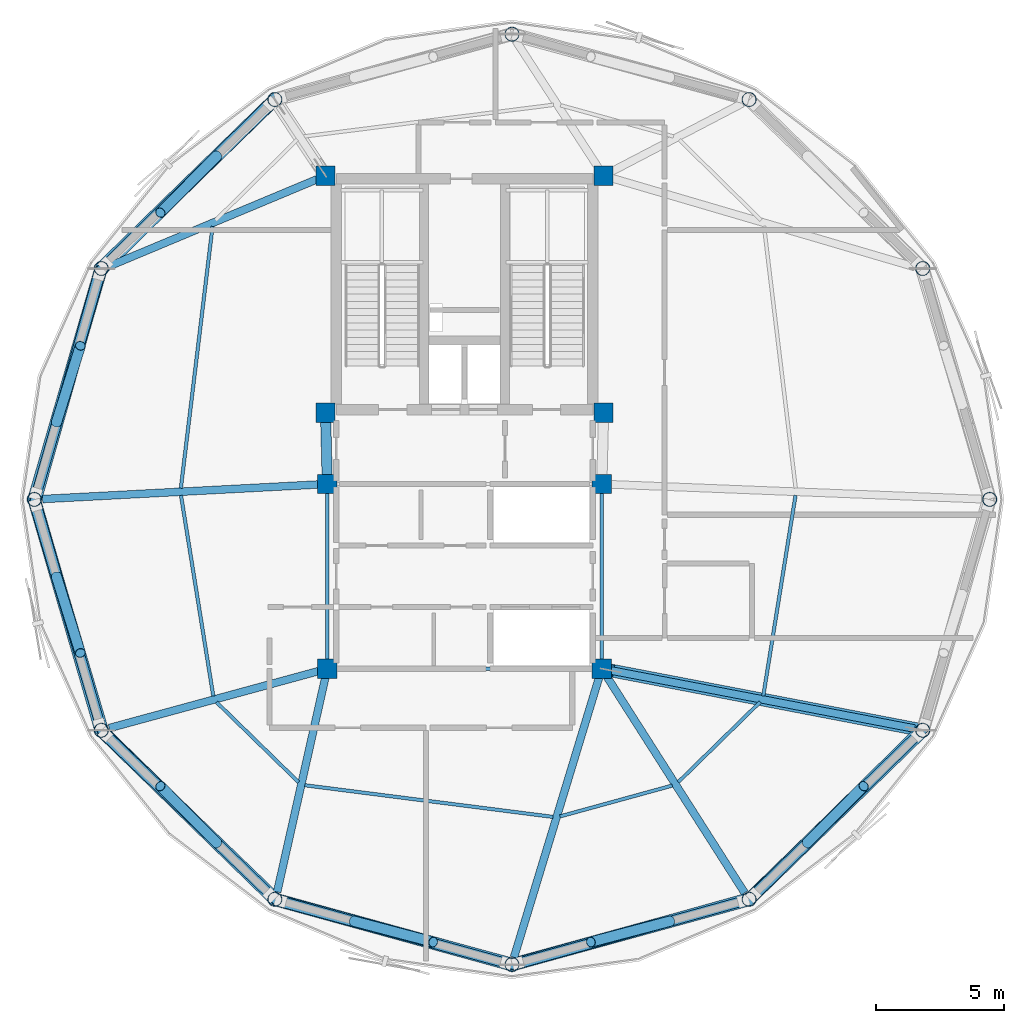
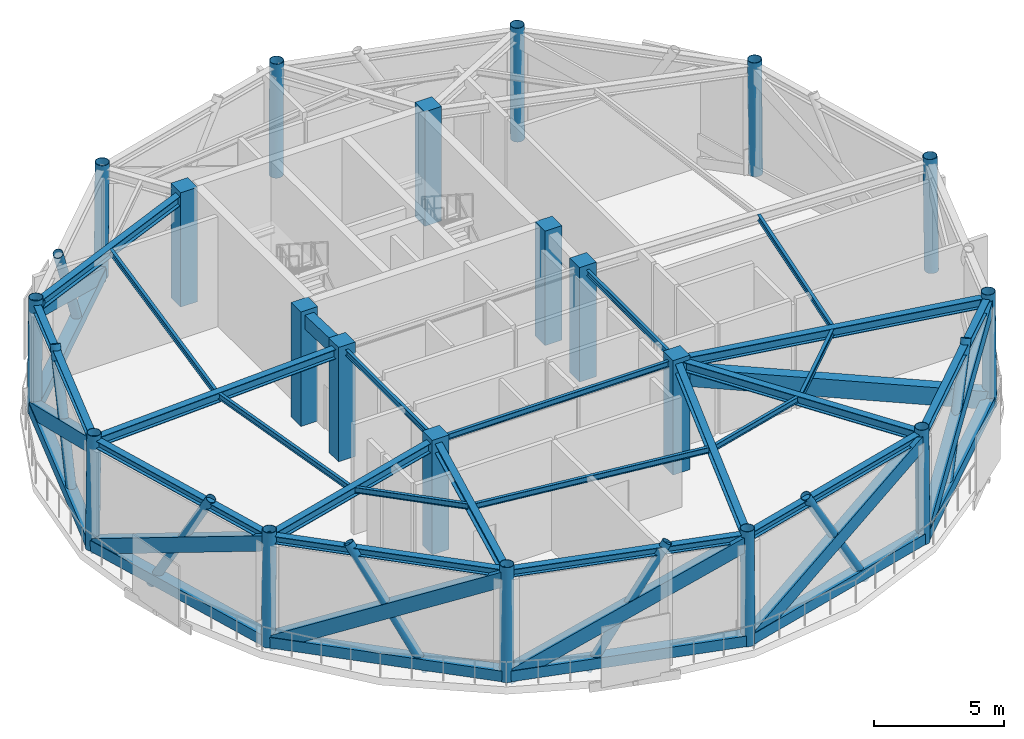
# One storey, part 1 of 10: 24 beams, 22 members, 20 columns.
"""IFC4 building model written with IfcOpenShell, lengths in metres."""

from ifc_helpers import new_model, si_unit, direction, frame, origin, origin_2d, place, context, subcontext, project, spatial, rectangle, hollow_rectangle, hollow_circle, i_section, extrude, material, material_profile, profile_set, type_object, element, save


model = new_model("IFC4")

# Units and contexts
model_context = context("Model", 3, precision=1e-05, world=origin(), true_north=direction((0.0, 1.0)))
body_context = subcontext(model_context, "Body", "Model", "MODEL_VIEW")
ifc_project = project(units=[si_unit("LENGTHUNIT", "METRE"), si_unit("AREAUNIT", "SQUARE_METRE"), si_unit("VOLUMEUNIT", "CUBIC_METRE"), si_unit("PLANEANGLEUNIT", "RADIAN"), si_unit("MASSUNIT", "GRAM", prefix="KILO")], contexts=[model_context])

# Site, building, storey
site_placement = place(None, origin())
site = spatial("IfcSite", under=ifc_project, at=site_placement, CompositionType="ELEMENT")
building_placement = place(site_placement, origin())
building = spatial("IfcBuilding", under=site, at=building_placement, Name="Varnakorn Sky Granary", CompositionType="ELEMENT")
storey_placement = place(building_placement, frame((0.0, 0.0, 240.0)))
storey = spatial("IfcBuildingStorey", under=building, at=storey_placement, Name="L61", CompositionType="ELEMENT", Elevation=240.0)

# Columns
ifc_material_1 = material(Name="Steel S460M", Category="steel")
ifc_material_profile_1 = material_profile(ifc_material_1, hollow_circle(Radius=0.279541015625, WallThickness=0.02001953125, at=origin_2d()), Name="CHS 559x20")
ifc_profile_set_1 = profile_set([ifc_material_profile_1], Name="Steel S460M")
column_type_1 = type_object("IfcColumnType", Name="COL-DC-Z5", PredefinedType="COLUMN", material=ifc_profile_set_1)
column_1_placement = place(storey_placement, frame((23.48095703125, 0.0, 0.0), z_axis=(-0.012626173678, 0.0, 0.999920286692), x_axis=(0.0, -1.0, 0.0)))
element("IfcColumn", 1, at=column_1_placement, inside=storey, type_object=column_type_1, Name="Drum Perimeter Column DC01 L61", PredefinedType="COLUMN", context=body_context, shape_type="SweptSolid", body=[
    extrude(hollow_circle(Radius=0.279541015625, WallThickness=0.02001953125, at=origin_2d()), origin(), (0.0, 0.0, 1.0), 5.37548828125),
])
for number, where, z_axis, x_axis, name in (
    (2, (20.867919921875, 9.00244140625, 0.0), (-0.010945874758, -0.003133881155, 0.999935181207), (0.275247949014, -0.961373271193, 0.0), "Drum Perimeter Column DC02 L61"),
    (3, (14.097900390625, 15.5927734375, 0.0), (-0.006313368939, -0.005495810372, 0.999964968107), (0.656581650754, -0.754254954172, 0.0), "Drum Perimeter Column DC03 L61"),
):
    element("IfcColumn", number, at=place(storey_placement, frame(where, z_axis=z_axis, x_axis=x_axis)), inside=storey, type_object=column_type_1, Name=name, PredefinedType="COLUMN", context=body_context, shape_type="SweptSolid", body=[
        extrude(hollow_circle(Radius=0.279541015625, WallThickness=0.02001953125, at=origin_2d()), origin(), (0.0, 0.0, 1.0), 5.375244140625),
    ])
column_2_placement = place(storey_placement, frame((4.85009765625, 18.139892578125, 0.0), z_axis=(0.0, -0.006313464286, 0.999980069886), x_axis=(1.0, 0.0, 0.0)))
element("IfcColumn", 4, at=column_2_placement, inside=storey, type_object=column_type_1, Name="Drum Perimeter Column DC04 L61", PredefinedType="COLUMN", context=body_context, shape_type="SweptSolid", body=[
    extrude(hollow_circle(Radius=0.279541015625, WallThickness=0.02001953125, at=origin_2d()), origin(), (0.0, 0.0, 1.0), 5.375),
])
for number, where, z_axis, x_axis, name in (
    (5, (-4.39794921875, 15.5927734375, 0.0), (0.006313368939, -0.005495810372, 0.999964968107), (0.656581650754, 0.754254954172, 0.0), "Drum Perimeter Column DC05 L61"),
    (6, (-11.16796875, 9.00244140625, 0.0), (0.010945874758, -0.003133881155, 0.999935181207), (0.275247949014, 0.961373271193, 0.0), "Drum Perimeter Column DC06 L61"),
):
    element("IfcColumn", number, at=place(storey_placement, frame(where, z_axis=z_axis, x_axis=x_axis)), inside=storey, type_object=column_type_1, Name=name, PredefinedType="COLUMN", context=body_context, shape_type="SweptSolid", body=[
        extrude(hollow_circle(Radius=0.279541015625, WallThickness=0.02001953125, at=origin_2d()), origin(), (0.0, 0.0, 1.0), 5.375244140625),
    ])
column_3_placement = place(storey_placement, frame((-13.781005859375, 0.0, 0.0), z_axis=(0.01267158429, 0.0, 0.999919712253), x_axis=(0.0, 1.0, 0.0)))
element("IfcColumn", 7, at=column_3_placement, inside=storey, type_object=column_type_1, Name="Drum Perimeter Column DC07 L61", PredefinedType="COLUMN", context=body_context, shape_type="SweptSolid", body=[
    extrude(hollow_circle(Radius=0.279541015625, WallThickness=0.02001953125, at=origin_2d()), origin(), (0.0, 0.0, 1.0), 5.37548828125),
])
for number, where, z_axis, x_axis, name in (
    (8, (-11.16796875, -9.00244140625, 0.0), (0.010945874758, 0.003133881155, 0.999935181207), (-0.275247949014, 0.961373271193, 0.0), "Drum Perimeter Column DC08 L61"),
    (9, (-4.39794921875, -15.5927734375, 0.0), (0.006313368939, 0.005495810372, 0.999964968107), (-0.656581650754, 0.754254954172, 0.0), "Drum Perimeter Column DC09 L61"),
):
    element("IfcColumn", number, at=place(storey_placement, frame(where, z_axis=z_axis, x_axis=x_axis)), inside=storey, type_object=column_type_1, Name=name, PredefinedType="COLUMN", context=body_context, shape_type="SweptSolid", body=[
        extrude(hollow_circle(Radius=0.279541015625, WallThickness=0.02001953125, at=origin_2d()), origin(), (0.0, 0.0, 1.0), 5.375244140625),
    ])
column_4_placement = place(storey_placement, frame((4.85009765625, -18.139892578125, 0.0), z_axis=(0.0, 0.006313464286, 0.999980069886), x_axis=(-1.0, 0.0, 0.0)))
element("IfcColumn", 10, at=column_4_placement, inside=storey, type_object=column_type_1, Name="Drum Perimeter Column DC10 L61", PredefinedType="COLUMN", context=body_context, shape_type="SweptSolid", body=[
    extrude(hollow_circle(Radius=0.279541015625, WallThickness=0.02001953125, at=origin_2d()), origin(), (0.0, 0.0, 1.0), 5.375),
])
for number, where, z_axis, x_axis, name in (
    (11, (14.097900390625, -15.5927734375, 0.0), (-0.006313368939, 0.005495810372, 0.999964968107), (-0.656581650754, -0.754254954172, 0.0), "Drum Perimeter Column DC11 L61"),
    (12, (20.867919921875, -9.00244140625, 0.0), (-0.010945874758, 0.003133881155, 0.999935181207), (-0.275247949014, -0.961373271193, 0.0), "Drum Perimeter Column DC12 L61"),
):
    element("IfcColumn", number, at=place(storey_placement, frame(where, z_axis=z_axis, x_axis=x_axis)), inside=storey, type_object=column_type_1, Name=name, PredefinedType="COLUMN", context=body_context, shape_type="SweptSolid", body=[
        extrude(hollow_circle(Radius=0.279541015625, WallThickness=0.02001953125, at=origin_2d()), origin(), (0.0, 0.0, 1.0), 5.375244140625),
    ])
ifc_material_2 = material(Name="Concrete C50/60", Category="concrete")
ifc_material_profile_2 = material_profile(ifc_material_2, rectangle(XDim=0.75, YDim=0.75, at=origin_2d()), Name="RC 750x750")
ifc_profile_set_2 = profile_set([ifc_material_profile_2], Name="Concrete C50/60")
column_type_2 = type_object("IfcColumnType", Name="COL-MC-Z5", PredefinedType="COLUMN", material=ifc_profile_set_2)
for number, where, z_axis, x_axis, name in (
    (13, (-2.419921875, 12.6201171875, 0.0), (0.0, 0.0, 1.0), (1.0, 0.0, 0.0), "Backbone Mega-Column MC1 L61"),
    (14, (8.419921875, 12.6201171875, 0.0), (0.0, 0.0, 1.0), (1.0, 0.0, 0.0), "Backbone Mega-Column MC2 L61"),
    (15, (-2.419921875, 3.3798828125, 0.0), (0.0, 0.0, 1.0), (1.0, 0.0, 0.0), "Backbone Mega-Column MC3 L61"),
    (16, (8.419921875, 3.3798828125, 0.0), (0.0, 0.0, 1.0), (1.0, 0.0, 0.0), "Backbone Mega-Column MC4 L61"),
    (17, (-2.35009765625, 0.60009765625, 0.0), (0.0, 0.0, 1.0), (1.0, 0.0, 0.0), "Backbone Mega-Column MC5 L61"),
    (18, (8.35009765625, 0.60009765625, 0.0), (0.0, 0.0, 1.0), (1.0, 0.0, 0.0), "Backbone Mega-Column MC6 L61"),
    (19, (-2.35009765625, -6.60009765625, 0.0), (0.0, 0.0, 1.0), (1.0, 0.0, 0.0), "Backbone Mega-Column MC7 L61"),
    (20, (8.35009765625, -6.60009765625, 0.0), (0.0, 0.0, 1.0), (1.0, 0.0, 0.0), "Backbone Mega-Column MC8 L61"),
):
    element("IfcColumn", number, at=place(storey_placement, frame(where, z_axis=z_axis, x_axis=x_axis)), inside=storey, type_object=column_type_2, Name=name, PredefinedType="COLUMN", context=body_context, shape_type="SweptSolid", body=[
        extrude(rectangle(XDim=0.75, YDim=0.75, at=origin_2d()), origin(), (0.0, 0.0, 1.0), 5.375),
    ])

# Beams
ifc_material_profile_3 = material_profile(ifc_material_2, rectangle(XDim=0.39990234375, YDim=0.64990234375, at=origin_2d()), Name="RC 400x650")
ifc_profile_set_3 = profile_set([ifc_material_profile_3], Name="Concrete C50/60")
beam_type_1 = type_object("IfcBeamType", Name="BM-LIN-650", PredefinedType="LINTEL", material=ifc_profile_set_3)
beam_1_placement = place(storey_placement, frame((-2.4111328125, 3.025146484375, 4.8349609375), z_axis=(0.025227817192, -0.999681727971, 0.0), x_axis=(0.999681727971, 0.025227817192, 0.0)))
element("IfcBeam", 21, at=beam_1_placement, inside=storey, type_object=beam_type_1, Name="Core Spine Framing Beam 1 L61", PredefinedType="LINTEL", context=body_context, shape_type="SweptSolid", body=[
    extrude(rectangle(XDim=0.39990234375, YDim=0.64990234375, at=origin_2d()), origin(), (0.0, 0.0, 1.0), 2.071044921875),
])
ifc_material_3 = material(Name="Steel S355JR", Category="steel")
ifc_material_profile_4 = material_profile(ifc_material_3, i_section(OverallWidth=0.300048828125, OverallDepth=0.449951171875, WebThickness=0.013916015625, FlangeThickness=0.02587890625, at=origin_2d()), Name="HE 450 B")
ifc_profile_set_4 = profile_set([ifc_material_profile_4], Name="Steel S355JR")
beam_type_2 = type_object("IfcBeamType", Name="BM-RAD-Z5", PredefinedType="BEAM", material=ifc_profile_set_4)
beam_2_placement = place(storey_placement, frame((-2.74755859375, 12.48291015625, 4.93505859375), z_axis=(-0.922551503331, -0.385873973859, 0.0), x_axis=(0.385873973859, -0.922551503331, 0.0)))
element("IfcBeam", 22, at=beam_2_placement, inside=storey, type_object=beam_type_2, Name="Radial Floor Girder RG06 L61", PredefinedType="BEAM", context=body_context, shape_type="SweptSolid", body=[
    extrude(i_section(OverallWidth=0.300048828125, OverallDepth=0.449951171875, WebThickness=0.013916015625, FlangeThickness=0.02587890625, at=origin_2d()), origin(), (0.0, 0.0, 1.0), 8.798828125),
])
beam_3_placement = place(storey_placement, frame((-2.70458984375, 0.581298828125, 4.93505859375), z_axis=(-0.998608599682, -0.052733904103, 0.0), x_axis=(0.052733904103, -0.998608599682, 0.0)))
element("IfcBeam", 23, at=beam_3_placement, inside=storey, type_object=beam_type_2, Name="Radial Floor Girder RG07 L61", PredefinedType="BEAM", context=body_context, shape_type="SweptSolid", body=[
    extrude(i_section(OverallWidth=0.300048828125, OverallDepth=0.449951171875, WebThickness=0.013916015625, FlangeThickness=0.02587890625, at=origin_2d()), origin(), (0.0, 0.0, 1.0), 10.75927734375),
])
beam_4_placement = place(storey_placement, frame((-2.6923828125, -6.693359375, 4.93505859375), z_axis=(-0.964860998525, -0.262760829512, 0.0), x_axis=(0.262760829512, -0.964860998525, 0.0)))
element("IfcBeam", 24, at=beam_4_placement, inside=storey, type_object=beam_type_2, Name="Radial Floor Girder RG08 L61", PredefinedType="BEAM", context=body_context, shape_type="SweptSolid", body=[
    extrude(i_section(OverallWidth=0.300048828125, OverallDepth=0.449951171875, WebThickness=0.013916015625, FlangeThickness=0.02587890625, at=origin_2d()), origin(), (0.0, 0.0, 1.0), 8.458740234375),
])
beam_5_placement = place(storey_placement, frame((-2.427734375, -6.9462890625, 4.93505859375), z_axis=(-0.219226030826, -0.975674098974, 0.0), x_axis=(0.975674098974, -0.219226030826, 0.0)))
element("IfcBeam", 25, at=beam_5_placement, inside=storey, type_object=beam_type_2, Name="Radial Floor Girder RG09 L61", PredefinedType="BEAM", context=body_context, shape_type="SweptSolid", body=[
    extrude(i_section(OverallWidth=0.300048828125, OverallDepth=0.449951171875, WebThickness=0.013916015625, FlangeThickness=0.02587890625, at=origin_2d()), origin(), (0.0, 0.0, 1.0), 8.5673828125),
])
beam_6_placement = place(storey_placement, frame((8.24658203125, -6.939697265625, 4.93505859375), z_axis=(-0.291017678626, -0.956717675559, 0.0), x_axis=(0.956717675559, -0.291017678626, 0.0)))
element("IfcBeam", 26, at=beam_6_placement, inside=storey, type_object=beam_type_2, Name="Radial Floor Girder RG10 L61", PredefinedType="BEAM", context=body_context, shape_type="SweptSolid", body=[
    extrude(i_section(OverallWidth=0.300048828125, OverallDepth=0.449951171875, WebThickness=0.013916015625, FlangeThickness=0.02587890625, at=origin_2d()), origin(), (0.0, 0.0, 1.0), 11.40673828125),
])
beam_7_placement = place(storey_placement, frame((8.540771484375, -6.8994140625, 4.93505859375), z_axis=(0.537558639365, -0.843226368921, 0.0), x_axis=(0.843226368921, 0.537558639365, 0.0)))
element("IfcBeam", 27, at=beam_7_placement, inside=storey, type_object=beam_type_2, Name="Radial Floor Girder RG11 L61", PredefinedType="BEAM", context=body_context, shape_type="SweptSolid", body=[
    extrude(i_section(OverallWidth=0.300048828125, OverallDepth=0.449951171875, WebThickness=0.013916015625, FlangeThickness=0.02587890625, at=origin_2d()), origin(), (0.0, 0.0, 1.0), 10.01025390625),
])
beam_8_placement = place(storey_placement, frame((8.69873046875, -6.666748046875, 4.93505859375), z_axis=(0.982158531673, -0.18805482887, 0.0), x_axis=(0.18805482887, 0.982158531673, 0.0)))
element("IfcBeam", 28, at=beam_8_placement, inside=storey, type_object=beam_type_2, Name="Radial Floor Girder RG12 L61", PredefinedType="BEAM", context=body_context, shape_type="SweptSolid", body=[
    extrude(i_section(OverallWidth=0.300048828125, OverallDepth=0.449951171875, WebThickness=0.013916015625, FlangeThickness=0.02587890625, at=origin_2d()), origin(), (0.0, 0.0, 1.0), 12.06591796875),
])
ifc_material_profile_5 = material_profile(ifc_material_3, i_section(OverallWidth=0.135009765625, OverallDepth=0.27001953125, WebThickness=0.006591796875, FlangeThickness=0.01025390625, at=origin_2d()), Name="IPE 270")
ifc_profile_set_5 = profile_set([ifc_material_profile_5], Name="Steel S355JR")
beam_type_3 = type_object("IfcBeamType", Name="BM-SEC-Z5", PredefinedType="BEAM", material=ifc_profile_set_5)
beam_9_placement = place(storey_placement, frame((-6.822998046875, 10.646240234375, 5.02490234375), z_axis=(-0.120261890301, -0.992742201048, 0.0), x_axis=(0.992742201048, -0.120261890301, 0.0)))
element("IfcBeam", 29, at=beam_9_placement, inside=storey, type_object=beam_type_3, Name="Secondary Floor Chord Beam MSB06 L61", PredefinedType="BEAM", context=body_context, shape_type="SweptSolid", body=[
    extrude(i_section(OverallWidth=0.135009765625, OverallDepth=0.27001953125, WebThickness=0.006591796875, FlangeThickness=0.01025390625, at=origin_2d()), origin(), (0.0, 0.0, 1.0), 10.284423828125),
])
beam_10_placement = place(storey_placement, frame((-8.054443359375, 0.159423828125, 5.02490234375), z_axis=(0.15883733211, -0.987304766487, 0.0), x_axis=(0.987304766487, 0.15883733211, 0.0)))
element("IfcBeam", 30, at=beam_10_placement, inside=storey, type_object=beam_type_3, Name="Secondary Floor Chord Beam MSB07 L61", PredefinedType="BEAM", context=body_context, shape_type="SweptSolid", body=[
    extrude(i_section(OverallWidth=0.135009765625, OverallDepth=0.27001953125, WebThickness=0.006591796875, FlangeThickness=0.01025390625, at=origin_2d()), origin(), (0.0, 0.0, 1.0), 7.926513671875),
])
beam_11_placement = place(storey_placement, frame((-6.673095703125, -7.90234375, 5.02490234375), z_axis=(0.716019216906, -0.698080569148, 0.0), x_axis=(0.698080569148, 0.716019216906, 0.0)))
element("IfcBeam", 31, at=beam_11_placement, inside=storey, type_object=beam_type_3, Name="Secondary Floor Chord Beam MSB08 L61", PredefinedType="BEAM", context=body_context, shape_type="SweptSolid", body=[
    extrude(i_section(OverallWidth=0.135009765625, OverallDepth=0.27001953125, WebThickness=0.006591796875, FlangeThickness=0.01025390625, at=origin_2d()), origin(), (0.0, 0.0, 1.0), 4.4775390625),
])
beam_12_placement = place(storey_placement, frame((-3.22802734375, -11.1435546875, 5.02490234375), z_axis=(0.991954595061, -0.126594159963, 0.0), x_axis=(0.126594159963, 0.991954595061, 0.0)))
element("IfcBeam", 32, at=beam_12_placement, inside=storey, type_object=beam_type_3, Name="Secondary Floor Chord Beam MSB09 L61", PredefinedType="BEAM", context=body_context, shape_type="SweptSolid", body=[
    extrude(i_section(OverallWidth=0.135009765625, OverallDepth=0.27001953125, WebThickness=0.006591796875, FlangeThickness=0.01025390625, at=origin_2d()), origin(), (0.0, 0.0, 1.0), 9.75439453125),
])
beam_13_placement = place(storey_placement, frame((6.7216796875, -12.359130859375, 5.02490234375), z_axis=(0.96425284441, 0.264983871296, 0.0), x_axis=(-0.264983871296, 0.96425284441, 0.0)))
element("IfcBeam", 33, at=beam_13_placement, inside=storey, type_object=beam_type_3, Name="Secondary Floor Chord Beam MSB10 L61", PredefinedType="BEAM", context=body_context, shape_type="SweptSolid", body=[
    extrude(i_section(OverallWidth=0.135009765625, OverallDepth=0.27001953125, WebThickness=0.006591796875, FlangeThickness=0.01025390625, at=origin_2d()), origin(), (0.0, 0.0, 1.0), 4.53662109375),
])
beam_14_placement = place(storey_placement, frame((11.331298828125, -11.02197265625, 5.02490234375), z_axis=(0.714880954994, 0.699246179959, 0.0), x_axis=(-0.699246179959, 0.714880954994, 0.0)))
element("IfcBeam", 34, at=beam_14_placement, inside=storey, type_object=beam_type_3, Name="Secondary Floor Chord Beam MSB11 L61", PredefinedType="BEAM", context=body_context, shape_type="SweptSolid", body=[
    extrude(i_section(OverallWidth=0.135009765625, OverallDepth=0.27001953125, WebThickness=0.006591796875, FlangeThickness=0.01025390625, at=origin_2d()), origin(), (0.0, 0.0, 1.0), 4.466064453125),
])
beam_15_placement = place(storey_placement, frame((14.646240234375, -7.6630859375, 5.02490234375), z_axis=(0.158805211658, 0.987309933481, 0.0), x_axis=(-0.987309933481, 0.158805211658, 0.0)))
element("IfcBeam", 35, at=beam_15_placement, inside=storey, type_object=beam_type_3, Name="Secondary Floor Chord Beam MSB12 L61", PredefinedType="BEAM", context=body_context, shape_type="SweptSolid", body=[
    extrude(i_section(OverallWidth=0.135009765625, OverallDepth=0.27001953125, WebThickness=0.006591796875, FlangeThickness=0.01025390625, at=origin_2d()), origin(), (0.0, 0.0, 1.0), 7.923583984375),
])
for number, where, z_axis, x_axis, name in (
    (36, (-2.35009765625, 0.2451171875, 5.02490234375), (0.0, -1.0, 0.0), (1.0, 0.0, 0.0), "Core Spine Framing Beam 3 L61"),
    (37, (8.35009765625, 0.2451171875, 5.02490234375), (0.0, -1.0, 0.0), (1.0, 0.0, 0.0), "Core Spine Framing Beam 4 L61"),
):
    element("IfcBeam", number, at=place(storey_placement, frame(where, z_axis=z_axis, x_axis=x_axis)), inside=storey, type_object=beam_type_3, Name=name, PredefinedType="BEAM", context=body_context, shape_type="SweptSolid", body=[
        extrude(i_section(OverallWidth=0.135009765625, OverallDepth=0.27001953125, WebThickness=0.006591796875, FlangeThickness=0.01025390625, at=origin_2d()), origin(), (0.0, 0.0, 1.0), 6.490234375),
    ])
beam_16_placement = place(storey_placement, frame((-1.9951171875, -6.60009765625, 5.02490234375), z_axis=(1.0, 0.0, 0.0), x_axis=(0.0, 1.0, 0.0)))
element("IfcBeam", 38, at=beam_16_placement, inside=storey, type_object=beam_type_3, Name="Core Spine Framing Beam 6 L61", PredefinedType="BEAM", context=body_context, shape_type="SweptSolid", body=[
    extrude(i_section(OverallWidth=0.135009765625, OverallDepth=0.27001953125, WebThickness=0.006591796875, FlangeThickness=0.01025390625, at=origin_2d()), origin(), (0.0, 0.0, 1.0), 9.990234375),
])
ifc_material_profile_6 = material_profile(ifc_material_3, i_section(OverallWidth=0.300048828125, OverallDepth=0.360107421875, WebThickness=0.012451171875, FlangeThickness=0.0224609375, at=origin_2d()), Name="HE 360 B")
ifc_profile_set_6 = profile_set([ifc_material_profile_6], Name="Steel S355JR")
beam_type_4 = type_object("IfcBeamType", Name="BM-SPD-Z5", PredefinedType="SPANDREL", material=ifc_profile_set_6)
for number, where, z_axis, x_axis, name in (
    (39, (-11.1826171875, 8.7314453125, 4.97998046875), (-0.278346863562, -0.960480621119, 0.0), (0.960480621119, -0.278346863562, 0.0), "Perimeter Spandrel Ring Beam RB06 L61"),
    (40, (-13.639404296875, -0.25390625, 4.97998046875), (0.278346863562, -0.960480621119, 0.0), (0.960480621119, 0.278346863562, 0.0), "Perimeter Spandrel Ring Beam RB07 L61"),
):
    element("IfcBeam", number, at=place(storey_placement, frame(where, z_axis=z_axis, x_axis=x_axis)), inside=storey, type_object=beam_type_4, Name=name, PredefinedType="SPANDREL", context=body_context, shape_type="SweptSolid", body=[
        extrude(i_section(OverallWidth=0.300048828125, OverallDepth=0.360107421875, WebThickness=0.012451171875, FlangeThickness=0.0224609375, at=origin_2d()), origin(), (0.0, 0.0, 1.0), 8.826416015625),
    ])
beam_17_placement = place(storey_placement, frame((-10.919677734375, -9.170166015625, 4.97998046875), z_axis=(0.715919168212, -0.698183174093, 0.0), x_axis=(0.698183174093, 0.715919168212, 0.0)))
element("IfcBeam", 41, at=beam_17_placement, inside=storey, type_object=beam_type_4, Name="Perimeter Spandrel Ring Beam RB08 L61", PredefinedType="SPANDREL", context=body_context, shape_type="SweptSolid", body=[
    extrude(i_section(OverallWidth=0.300048828125, OverallDepth=0.360107421875, WebThickness=0.012451171875, FlangeThickness=0.0224609375, at=origin_2d()), origin(), (0.0, 0.0, 1.0), 8.892333984375),
])
for number, where, z_axis, x_axis, name in (
    (42, (-4.10888671875, -15.6337890625, 4.97998046875), (0.963970146935, -0.266010443061, 0.0), (0.266010443061, 0.963970146935, 0.0), "Perimeter Spandrel Ring Beam RB09 L61"),
    (43, (5.10498046875, -18.03564453125, 4.97998046875), (0.963972060188, 0.266003509709, 0.0), (-0.266003509709, 0.963972060188, 0.0), "Perimeter Spandrel Ring Beam RB10 L61"),
):
    element("IfcBeam", number, at=place(storey_placement, frame(where, z_axis=z_axis, x_axis=x_axis)), inside=storey, type_object=beam_type_4, Name=name, PredefinedType="SPANDREL", context=body_context, shape_type="SweptSolid", body=[
        extrude(i_section(OverallWidth=0.300048828125, OverallDepth=0.360107421875, WebThickness=0.012451171875, FlangeThickness=0.0224609375, at=origin_2d()), origin(), (0.0, 0.0, 1.0), 9.029296875),
    ])
beam_18_placement = place(storey_placement, frame((14.25341796875, -15.378662109375, 4.97998046875), z_axis=(0.715919168212, 0.698183174093, 0.0), x_axis=(-0.698183174093, 0.715919168212, 0.0)))
element("IfcBeam", 44, at=beam_18_placement, inside=storey, type_object=beam_type_4, Name="Perimeter Spandrel Ring Beam RB11 L61", PredefinedType="SPANDREL", context=body_context, shape_type="SweptSolid", body=[
    extrude(i_section(OverallWidth=0.300048828125, OverallDepth=0.360107421875, WebThickness=0.012451171875, FlangeThickness=0.0224609375, at=origin_2d()), origin(), (0.0, 0.0, 1.0), 8.892333984375),
])

# Members
ifc_material_profile_7 = material_profile(ifc_material_1, hollow_rectangle(XDim=0.449951171875, YDim=0.64990234375, WallThickness=0.02490234375, at=origin_2d()), Name="RHS 450x650x25")
ifc_profile_set_7 = profile_set([ifc_material_profile_7], Name="Steel S460M")
member_type_1 = type_object("IfcMemberType", Name="MB-BELT-650", PredefinedType="BRACE", material=ifc_profile_set_7)
member_1_placement = place(storey_placement, frame((-4.39794921875, 15.5927734375, 0.14990234375), z_axis=(-0.638691627215, -0.628793754131, 0.443499064363), x_axis=(0.701563548987, -0.712606894952, 0.0)))
element("IfcMember", 45, at=member_1_placement, inside=storey, type_object=member_type_1, Name="Perimeter Belt-Truss Diagonal BT05 L61", PredefinedType="BRACE", context=body_context, shape_type="SweptSolid", body=[
    extrude(hollow_rectangle(XDim=0.449951171875, YDim=0.64990234375, WallThickness=0.02490234375, at=origin_2d()), origin(), (0.0, 0.0, 1.0), 10.5078125),
])
member_2_placement = place(storey_placement, frame((-11.16796875, 9.00244140625, 0.14990234375), z_axis=(-0.243494025952, -0.86133909372, 0.445876243991), x_axis=(0.96228831731, -0.272031605458, 0.0)))
element("IfcMember", 46, at=member_2_placement, inside=storey, type_object=member_type_1, Name="Perimeter Belt-Truss Diagonal BT06 L61", PredefinedType="BRACE", context=body_context, shape_type="SweptSolid", body=[
    extrude(hollow_rectangle(XDim=0.449951171875, YDim=0.64990234375, WallThickness=0.02490234375, at=origin_2d()), origin(), (0.0, 0.0, 1.0), 10.45166015625),
])
member_3_placement = place(storey_placement, frame((-13.781005859375, 0.0, 0.14990234375), z_axis=(0.255221347058, -0.858317039333, 0.445144834854), x_axis=(0.95852231972, 0.285017477707, 0.0)))
element("IfcMember", 47, at=member_3_placement, inside=storey, type_object=member_type_1, Name="Perimeter Belt-Truss Diagonal BT07 L61", PredefinedType="BRACE", context=body_context, shape_type="SweptSolid", body=[
    extrude(hollow_rectangle(XDim=0.449951171875, YDim=0.64990234375, WallThickness=0.02490234375, at=origin_2d()), origin(), (0.0, 0.0, 1.0), 10.46875),
])
member_4_placement = place(storey_placement, frame((-11.16796875, -9.00244140625, 0.14990234375), z_axis=(0.645643365632, -0.622568953483, 0.442213232021), x_axis=(0.694126488243, 0.719853053282, 0.0)))
element("IfcMember", 48, at=member_4_placement, inside=storey, type_object=member_type_1, Name="Perimeter Belt-Truss Diagonal BT08 L61", PredefinedType="BRACE", context=body_context, shape_type="SweptSolid", body=[
    extrude(hollow_rectangle(XDim=0.449951171875, YDim=0.64990234375, WallThickness=0.02490234375, at=origin_2d()), origin(), (0.0, 0.0, 1.0), 10.538330078125),
])
member_5_placement = place(storey_placement, frame((-4.39794921875, -15.5927734375, 0.14990234375), z_axis=(0.867837175606, -0.23583727259, 0.437309292713), x_axis=(0.262242125042, 0.965002107694, 0.0)))
element("IfcMember", 49, at=member_5_placement, inside=storey, type_object=member_type_1, Name="Perimeter Belt-Truss Diagonal BT09 L61", PredefinedType="BRACE", context=body_context, shape_type="SweptSolid", body=[
    extrude(hollow_rectangle(XDim=0.449951171875, YDim=0.64990234375, WallThickness=0.02490234375, at=origin_2d()), origin(), (0.0, 0.0, 1.0), 10.656494140625),
])
member_6_placement = place(storey_placement, frame((4.85009765625, -18.139892578125, 0.14990234375), z_axis=(0.865804439662, 0.242122418023, 0.437903421947), x_axis=(-0.269317561246, 0.963051427082, 0.0)))
element("IfcMember", 50, at=member_6_placement, inside=storey, type_object=member_type_1, Name="Perimeter Belt-Truss Diagonal BT10 L61", PredefinedType="BRACE", context=body_context, shape_type="SweptSolid", body=[
    extrude(hollow_rectangle(XDim=0.449951171875, YDim=0.64990234375, WallThickness=0.02490234375, at=origin_2d()), origin(), (0.0, 0.0, 1.0), 10.64208984375),
])
member_7_placement = place(storey_placement, frame((14.097900390625, -15.5927734375, 0.14990234375), z_axis=(0.638691627215, 0.628793754131, 0.443499064363), x_axis=(-0.701563548987, 0.712606894952, 0.0)))
element("IfcMember", 51, at=member_7_placement, inside=storey, type_object=member_type_1, Name="Perimeter Belt-Truss Diagonal BT11 L61", PredefinedType="BRACE", context=body_context, shape_type="SweptSolid", body=[
    extrude(hollow_rectangle(XDim=0.449951171875, YDim=0.64990234375, WallThickness=0.02490234375, at=origin_2d()), origin(), (0.0, 0.0, 1.0), 10.5078125),
])
ifc_material_profile_8 = material_profile(ifc_material_1, hollow_rectangle(XDim=0.5, YDim=0.5, WallThickness=0.02490234375, at=origin_2d()), Name="SHS 500x500x25")
ifc_profile_set_8 = profile_set([ifc_material_profile_8], Name="Steel S460M")
member_type_2 = type_object("IfcMemberType", Name="MB-CHD-500", PredefinedType="CHORD", material=ifc_profile_set_8)
member_8_placement = place(storey_placement, frame((-4.39794921875, 15.5927734375, 0.25), z_axis=(-0.716552075524, -0.697533599953, 0.0), x_axis=(0.697533599953, -0.716552075524, 0.0)))
element("IfcMember", 52, at=member_8_placement, inside=storey, type_object=member_type_2, Name="Belt-Truss Bottom Chord BCH05 L61", PredefinedType="CHORD", context=body_context, shape_type="SweptSolid", body=[
    extrude(hollow_rectangle(XDim=0.5, YDim=0.5, WallThickness=0.02490234375, at=origin_2d()), origin(), (0.0, 0.0, 1.0), 9.447998046875),
])
for number, where, z_axis, x_axis, name in (
    (53, (-11.16796875, 9.00244140625, 0.25), (-0.278753631457, -0.960362646582, 0.0), (0.960362646582, -0.278753631457, 0.0), "Belt-Truss Bottom Chord BCH06 L61"),
    (54, (-13.781005859375, 0.0, 0.25), (0.278753631457, -0.960362646582, 0.0), (0.960362646582, 0.278753631457, 0.0), "Belt-Truss Bottom Chord BCH07 L61"),
):
    element("IfcMember", number, at=place(storey_placement, frame(where, z_axis=z_axis, x_axis=x_axis)), inside=storey, type_object=member_type_2, Name=name, PredefinedType="CHORD", context=body_context, shape_type="SweptSolid", body=[
        extrude(hollow_rectangle(XDim=0.5, YDim=0.5, WallThickness=0.02490234375, at=origin_2d()), origin(), (0.0, 0.0, 1.0), 9.3740234375),
    ])
member_9_placement = place(storey_placement, frame((-11.16796875, -9.00244140625, 0.25), z_axis=(0.716552075524, -0.697533599953, 0.0), x_axis=(0.697533599953, 0.716552075524, 0.0)))
element("IfcMember", 55, at=member_9_placement, inside=storey, type_object=member_type_2, Name="Belt-Truss Bottom Chord BCH08 L61", PredefinedType="CHORD", context=body_context, shape_type="SweptSolid", body=[
    extrude(hollow_rectangle(XDim=0.5, YDim=0.5, WallThickness=0.02490234375, at=origin_2d()), origin(), (0.0, 0.0, 1.0), 9.447998046875),
])
for number, where, z_axis, x_axis, name in (
    (56, (-4.39794921875, -15.5927734375, 0.25), (0.964101205601, -0.265535054858, 0.0), (0.265535054858, 0.964101205601, 0.0), "Belt-Truss Bottom Chord BCH09 L61"),
    (57, (4.85009765625, -18.139892578125, 0.25), (0.964099410982, 0.265541570653, 0.0), (-0.265541570653, 0.964099410982, 0.0), "Belt-Truss Bottom Chord BCH10 L61"),
):
    element("IfcMember", number, at=place(storey_placement, frame(where, z_axis=z_axis, x_axis=x_axis)), inside=storey, type_object=member_type_2, Name=name, PredefinedType="CHORD", context=body_context, shape_type="SweptSolid", body=[
        extrude(hollow_rectangle(XDim=0.5, YDim=0.5, WallThickness=0.02490234375, at=origin_2d()), origin(), (0.0, 0.0, 1.0), 9.59228515625),
    ])
member_10_placement = place(storey_placement, frame((14.097900390625, -15.5927734375, 0.25), z_axis=(0.716552075524, 0.697533599953, 0.0), x_axis=(-0.697533599953, 0.716552075524, 0.0)))
element("IfcMember", 58, at=member_10_placement, inside=storey, type_object=member_type_2, Name="Belt-Truss Bottom Chord BCH11 L61", PredefinedType="CHORD", context=body_context, shape_type="SweptSolid", body=[
    extrude(hollow_rectangle(XDim=0.5, YDim=0.5, WallThickness=0.02490234375, at=origin_2d()), origin(), (0.0, 0.0, 1.0), 9.447998046875),
])
ifc_material_profile_9 = material_profile(ifc_material_1, hollow_circle(Radius=0.203125, WallThickness=0.01611328125, at=origin_2d()), Name="CHS 406.4x16")
ifc_profile_set_9 = profile_set([ifc_material_profile_9], Name="Steel S460M")
member_type_3 = type_object("IfcMemberType", Name="MB-DIAG-T4", PredefinedType="BRACE", material=ifc_profile_set_9)
member_11_placement = place(storey_placement, frame((-6.65478515625, 13.39599609375, -0.1298828125), z_axis=(-0.352486654894, -0.354437328137, 0.866098919607), x_axis=(0.709055259404, -0.705152918956, 0.0)))
element("IfcMember", 59, at=member_11_placement, inside=storey, type_object=member_type_3, Name="Perimeter CHS Diagrid Brace DG05 L61", PredefinedType="BRACE", context=body_context, shape_type="SweptSolid", body=[
    extrude(hollow_circle(Radius=0.203125, WallThickness=0.01611328125, at=origin_2d()), origin(), (0.0, 0.0, 1.0), 6.2578125),
])
for number, where, z_axis, x_axis, name in (
    (60, (-12.909912109375, 3.000732421875, -0.1298828125), (0.14902830857, 0.477584830788, 0.865854082768), (-0.954603353883, 0.297879903241, 0.0), "Perimeter CHS Diagrid Brace DG06 L61"),
    (61, (-12.909912109375, -3.000732421875, -0.1298828125), (0.14902830857, -0.477584830788, 0.865854082768), (0.954603353883, 0.297879903241, 0.0), "Perimeter CHS Diagrid Brace DG07 L61"),
):
    element("IfcMember", number, at=place(storey_placement, frame(where, z_axis=z_axis, x_axis=x_axis)), inside=storey, type_object=member_type_3, Name=name, PredefinedType="BRACE", context=body_context, shape_type="SweptSolid", body=[
        extrude(hollow_circle(Radius=0.203125, WallThickness=0.01611328125, at=origin_2d()), origin(), (0.0, 0.0, 1.0), 6.259521484375),
    ])
member_12_placement = place(storey_placement, frame((-6.65478515625, -13.39599609375, -0.1298828125), z_axis=(-0.352486654894, 0.354437328137, 0.866098919607), x_axis=(-0.709055259404, -0.705152918956, 0.0)))
element("IfcMember", 62, at=member_12_placement, inside=storey, type_object=member_type_3, Name="Perimeter CHS Diagrid Brace DG08 L61", PredefinedType="BRACE", context=body_context, shape_type="SweptSolid", body=[
    extrude(hollow_circle(Radius=0.203125, WallThickness=0.01611328125, at=origin_2d()), origin(), (0.0, 0.0, 1.0), 6.2578125),
])
for number, where, z_axis, x_axis, name in (
    (63, (-1.315185546875, -16.44189453125, -0.1298828125), (0.491575645516, -0.129711114859, 0.861120439554), (0.255135438173, 0.966905325349, 0.0), "Perimeter CHS Diagrid Brace DG09 L61"),
    (64, (11.015380859375, -16.44189453125, -0.1298828125), (-0.491575645516, -0.129711114859, 0.861120439554), (0.255135438173, -0.966905325349, 0.0), "Perimeter CHS Diagrid Brace DG10 L61"),
):
    element("IfcMember", number, at=place(storey_placement, frame(where, z_axis=z_axis, x_axis=x_axis)), inside=storey, type_object=member_type_3, Name=name, PredefinedType="BRACE", context=body_context, shape_type="SweptSolid", body=[
        extrude(hollow_circle(Radius=0.203125, WallThickness=0.01611328125, at=origin_2d()), origin(), (0.0, 0.0, 1.0), 6.2939453125),
    ])
member_13_placement = place(storey_placement, frame((16.354736328125, -13.39599609375, -0.1298828125), z_axis=(0.352520820354, 0.354432453842, 0.866087008839), x_axis=(-0.709016237656, 0.70519215448, 0.0)))
element("IfcMember", 65, at=member_13_placement, inside=storey, type_object=member_type_3, Name="Perimeter CHS Diagrid Brace DG11 L61", PredefinedType="BRACE", context=body_context, shape_type="SweptSolid", body=[
    extrude(hollow_circle(Radius=0.203125, WallThickness=0.01611328125, at=origin_2d()), origin(), (0.0, 0.0, 1.0), 6.258056640625),
])
ifc_material_profile_10 = material_profile(ifc_material_1, hollow_rectangle(XDim=0.5, YDim=0.800048828125, WallThickness=0.030029296875, at=origin_2d()), Name="RHS 500x800x30")
ifc_profile_set_10 = profile_set([ifc_material_profile_10], Name="Steel S460M")
member_type_4 = type_object("IfcMemberType", Name="MB-OUT-800", PredefinedType="BRACE", material=ifc_profile_set_10)
member_14_placement = place(storey_placement, frame((8.698486328125, -6.6669921875, 4.31005859375), z_axis=(0.935813586056, -0.179596711751, -0.303311643826), x_axis=(0.188475527356, 0.982077886722, 0.0)))
element("IfcMember", 66, at=member_14_placement, inside=storey, type_object=member_type_4, Name="Radial Outrigger Truss Diagonal OUT12 L61", PredefinedType="BRACE", context=body_context, shape_type="SweptSolid", body=[
    extrude(hollow_rectangle(XDim=0.5, YDim=0.800048828125, WallThickness=0.030029296875, at=origin_2d()), origin(), (0.0, 0.0, 1.0), 12.7265625),
])

save(model, "model.ifc")
